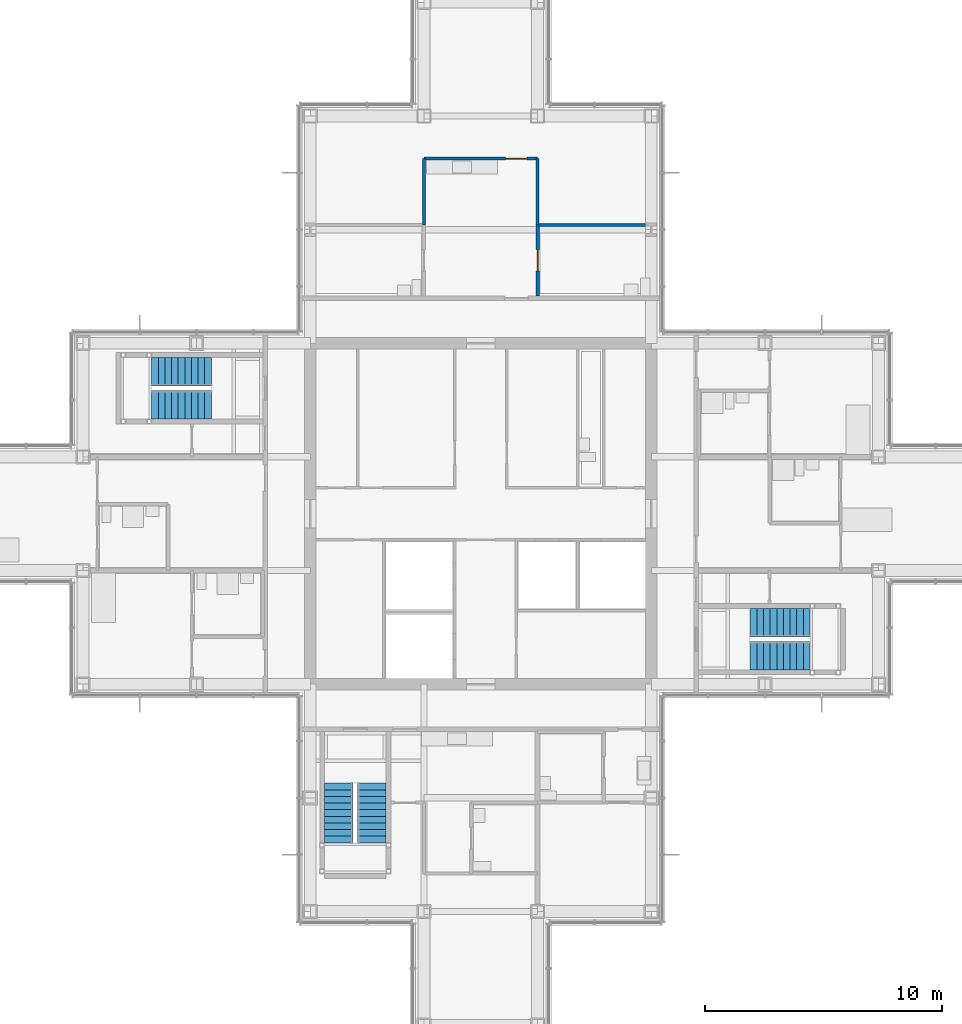
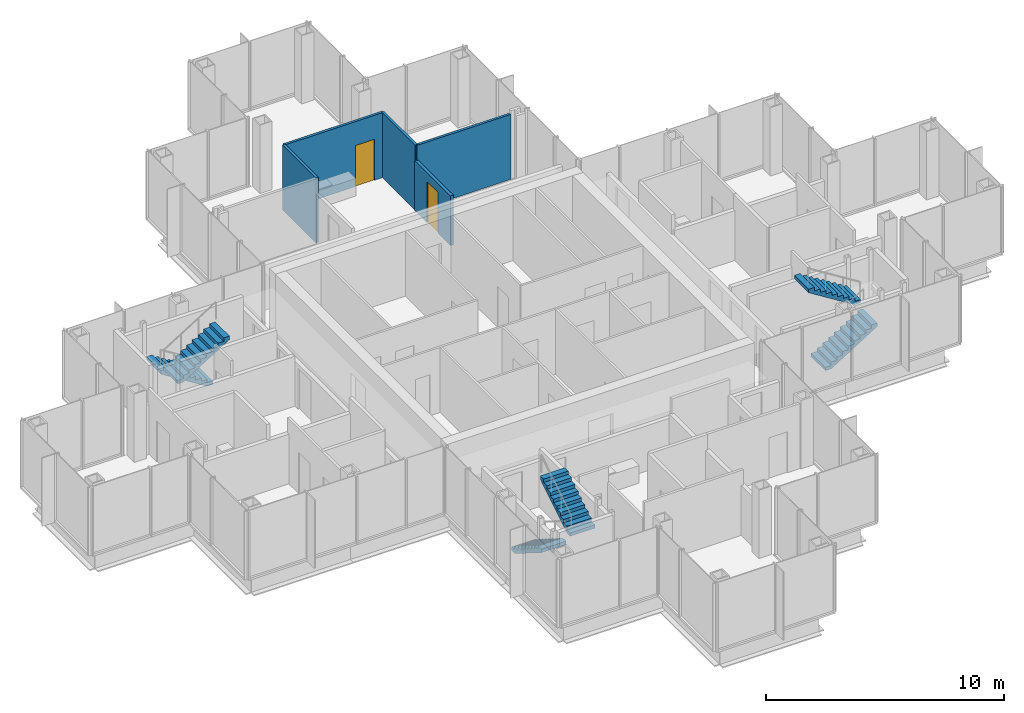
# One storey, part 14 of 17: 6 stair flights, 5 walls, 2 doors, 2 openings, 3 elements without a shape of their own.
"""IFC4 building model written with IfcOpenShell, lengths in metres."""

from ifc_helpers import new_model, si_unit, direction, frame, frame_2d, origin, place, context, subcontext, project, spatial, polyline, rectangle, outline, extrude, material, layer, layer_set, type_object, element, fill, aggregate, save


model = new_model("IFC4")

# Units and contexts
model_context = context("Model", 3, precision=1e-05, world=origin(), true_north=direction((0.0, 1.0)))
body_context = subcontext(model_context, "Body", "Model", "MODEL_VIEW")
ifc_project = project(units=[si_unit("LENGTHUNIT", "METRE"), si_unit("AREAUNIT", "SQUARE_METRE"), si_unit("VOLUMEUNIT", "CUBIC_METRE"), si_unit("PLANEANGLEUNIT", "RADIAN"), si_unit("MASSUNIT", "GRAM", prefix="KILO")], contexts=[model_context])

# Site, building, storey
site_placement = place(None, origin())
site = spatial("IfcSite", under=ifc_project, at=site_placement, CompositionType="ELEMENT")
building_placement = place(site_placement, origin())
building = spatial("IfcBuilding", under=site, at=building_placement, Name="Kvirike Care Tower", CompositionType="ELEMENT")
storey_placement = place(building_placement, frame((0.0, 0.0, 155.0)))
storey = spatial("IfcBuildingStorey", under=building, at=storey_placement, Name="L42", CompositionType="ELEMENT", Elevation=155.0)

# Wall, opening, door
ifc_material_1 = material(Name="Moisture-resistant board partition", Category="gypsum")
ifc_layer_1 = layer(ifc_material_1, 0.14990234375)
ifc_layer_set_1 = layer_set([ifc_layer_1], Name="BATHROOM WALL 150")
wall_type_1 = type_object("IfcWallType", Name="BATHROOM WALL 150", PredefinedType="PARTITIONING", material=ifc_layer_set_1)
wall_1_placement = place(storey_placement, frame((24.0, 48.199951171875, 0.0), z_axis=(0.0, 0.0, 1.0), x_axis=(0.0, -1.0, 0.0)))
wall_1 = element("IfcWall", 1, at=wall_1_placement, inside=storey, type_object=wall_type_1, Name="Bathroom Wall 150 L42", PredefinedType="PARTITIONING", context=body_context, shape_type="SweptSolid", body=[
    extrude(rectangle(XDim=3.0, YDim=0.14990234375, at=frame_2d((1.5, 0.0))), origin(), (0.0, 0.0, 1.0), 2.550048828125),
])
opening_1_placement = place(wall_1_placement, frame((1.050048828125, 0.0, 0.0)))
opening_1 = element("IfcOpeningElement", 2, at=opening_1_placement, cuts=wall_1, Name="Opening 42-017", PredefinedType="OPENING", context=body_context, shape_type="SweptSolid", body=[
    extrude(rectangle(XDim=0.89990234375, YDim=2.10009765625, at=frame_2d((0.449951171875, 1.050048828125))), frame((0.0, 0.08544921875, 0.0), z_axis=(0.0, -1.0, 0.0), x_axis=(1.0, 0.0, 0.0)), (0.0, 0.0, 1.0), 0.1708984375),
])
ifc_material_2 = material(Name="Timber door set", Category="wood")
door_type_1 = type_object("IfcDoorType", Name="BATHROOM DOOR 900", OperationType="SINGLE_SWING_RIGHT", PredefinedType="DOOR", material=ifc_material_2)
door_1_placement = place(opening_1_placement, origin())
door_1 = element("IfcDoor", 3, at=door_1_placement, inside=storey, type_object=door_type_1, Name="Accessible WC door", OperationType="SINGLE_SWING_RIGHT", OverallHeight=2.10009765625, OverallWidth=0.89990234375, PredefinedType="DOOR", context=body_context, shape_type="SweptSolid", body=[
    extrude(rectangle(XDim=0.89990234375, YDim=2.10009765625, at=frame_2d((0.449951171875, 1.050048828125))), frame((0.0, 0.02197265625, 0.0), z_axis=(0.0, -1.0, 0.0), x_axis=(1.0, 0.0, 0.0)), (0.0, 0.0, 1.0), 0.0439453125),
])
fill(opening_1, door_1)

# Wall
ifc_material_3 = material(Name="Plasterboard partition", Category="gypsum")
ifc_layer_2 = layer(ifc_material_3, 0.1201171875)
ifc_layer_set_2 = layer_set([ifc_layer_2], Name="PARTITION 120")
wall_type_2 = type_object("IfcWallType", Name="PARTITION 120", PredefinedType="PARTITIONING", material=ifc_layer_set_2)
wall_2_placement = place(storey_placement, frame((28.552978515625, 48.199951171875, 0.0), z_axis=(0.0, 0.0, 1.0), x_axis=(-1.0, 0.0, 0.0)))
element("IfcWall", 4, at=wall_2_placement, inside=storey, type_object=wall_type_2, Name="Partition 120 L42", PredefinedType="PARTITIONING", context=body_context, shape_type="SweptSolid", body=[
    extrude(rectangle(XDim=4.552978515625, YDim=0.1201171875, at=frame_2d((2.2763671875, 0.0))), origin(), (0.0, 0.0, 1.0), 3.330078125),
])

# Wall, opening, door
wall_3_placement = place(storey_placement, frame((24.0, 51.0, 0.0), z_axis=(0.0, 0.0, 1.0), x_axis=(-1.0, 0.0, 0.0)))
wall_3 = element("IfcWall", 5, at=wall_3_placement, inside=storey, type_object=wall_type_2, Name="Partition 120 L42", PredefinedType="PARTITIONING", context=body_context, shape_type="SweptSolid", body=[
    extrude(rectangle(XDim=4.800048828125, YDim=0.1201171875, at=frame_2d((2.39990234375, 0.0))), origin(), (0.0, 0.0, 1.0), 3.330078125),
])
opening_2_placement = place(wall_3_placement, frame((0.449951171875, 0.0, 0.0)))
opening_2 = element("IfcOpeningElement", 6, at=opening_2_placement, cuts=wall_3, Name="Opening 42-019", PredefinedType="OPENING", context=body_context, shape_type="SweptSolid", body=[
    extrude(rectangle(XDim=0.89990234375, YDim=2.10009765625, at=frame_2d((0.449951171875, 1.050048828125))), frame((0.0, 0.070556640625, 0.0), z_axis=(0.0, -1.0, 0.0), x_axis=(1.0, 0.0, 0.0)), (0.0, 0.0, 1.0), 0.14111328125),
])
ifc_material_4 = material(Name="Timber door set", Category="wood")
door_type_2 = type_object("IfcDoorType", Name="INTERNAL DOOR 900", OperationType="SINGLE_SWING_LEFT", PredefinedType="DOOR", material=ifc_material_4)
door_2_placement = place(opening_2_placement, origin())
door_2 = element("IfcDoor", 7, at=door_2_placement, inside=storey, type_object=door_type_2, Name="Household lounge and dining room door", OperationType="SINGLE_SWING_RIGHT", OverallHeight=2.10009765625, OverallWidth=0.89990234375, PredefinedType="DOOR", context=body_context, shape_type="SweptSolid", body=[
    extrude(rectangle(XDim=0.89990234375, YDim=2.10009765625, at=frame_2d((0.449951171875, 1.050048828125))), frame((0.0, 0.02197265625, 0.0), z_axis=(0.0, -1.0, 0.0), x_axis=(1.0, 0.0, 0.0)), (0.0, 0.0, 1.0), 0.0439453125),
])
fill(opening_2, door_2)

# Walls
for number, where, z_axis, x_axis, name in (
    (8, (24.0, 51.0, 0.0), (0.0, 0.0, 1.0), (0.0, -1.0, 0.0), "Partition 120 L42"),
    (9, (19.199951171875, 51.0, 0.0), (0.0, 0.0, 1.0), (0.0, -1.0, 0.0), "Partition 120 L42"),
):
    element("IfcWall", number, at=place(storey_placement, frame(where, z_axis=z_axis, x_axis=x_axis)), inside=storey, type_object=wall_type_2, Name=name, PredefinedType="PARTITIONING", context=body_context, shape_type="SweptSolid", body=[
        extrude(rectangle(XDim=2.800048828125, YDim=0.1201171875, at=frame_2d((1.39990234375, 0.0))), origin(), (0.0, 0.0, 1.0), 3.330078125),
    ])

# Stair, stair flights
ifc_material_5 = material(Name="Concrete C35/45", Category="concrete")
stair_type = type_object("IfcStairType", Name="STAIR 20 RISERS", PredefinedType="HALF_TURN_STAIR", material=ifc_material_5)
stair_1_placement = place(storey_placement, origin())
stair_1 = element("IfcStair", 10, at=stair_1_placement, inside=storey, type_object=stair_type, Name="Stair 1 L42", PredefinedType="HALF_TURN_STAIR")
ifc_material_6 = material(Name="Concrete C35/45", Category="concrete")
stair_flight_type = type_object("IfcStairFlightType", Name="FLIGHT 10 RISERS", PredefinedType="STRAIGHT", material=ifc_material_6)
stair_flight_1_placement = place(storey_placement, frame((10.219970703125, 42.0, 0.0), z_axis=(0.0, 0.0, 1.0), x_axis=(-1.0, 0.0, 0.0)))
stair_flight_1 = element("IfcStairFlight", 11, at=stair_flight_1_placement, type_object=stair_flight_type, Name="Stair S1 flight 1 L42-L43", NumberOfRisers=10, NumberOfTreads=9, PredefinedType="STRAIGHT", RiserHeight=0.175, TreadLength=0.28, context=body_context, shape_type="SweptSolid", body=[
    extrude(outline(polyline([(0.0, 0.0), (0.0, 0.175048828125), (0.280029296875, 0.175048828125), (0.280029296875, 0.35009765625), (0.56005859375, 0.35009765625), (0.56005859375, 0.52490234375), (0.840087890625, 0.52490234375), (0.840087890625, 0.699951171875), (1.1201171875, 0.699951171875), (1.1201171875, 0.875), (1.39990234375, 0.875), (1.39990234375, 1.050048828125), (1.679931640625, 1.050048828125), (1.679931640625, 1.22509765625), (1.9599609375, 1.22509765625), (1.9599609375, 1.39990234375), (2.239990234375, 1.39990234375), (2.239990234375, 1.574951171875), (2.52001953125, 1.574951171875), (2.52001953125, 1.75), (2.52001953125, 1.398193359375), (0.28271484375, 0.0), (0.0, 0.0)])), frame((0.0, 0.60009765625, 0.0), z_axis=(0.0, -1.0, 0.0), x_axis=(1.0, 0.0, 0.0)), (0.0, 0.0, 1.0), 1.199951171875),
])
stair_flight_2_placement = place(storey_placement, frame((7.699951171875, 40.60009765625, 1.75), z_axis=(0.0, 0.0, 1.0), x_axis=(1.0, 0.0, 0.0)))
stair_flight_2 = element("IfcStairFlight", 12, at=stair_flight_2_placement, type_object=stair_flight_type, Name="Stair S1 flight 2 L42-L43", NumberOfRisers=10, NumberOfTreads=9, PredefinedType="STRAIGHT", RiserHeight=0.175, TreadLength=0.28, context=body_context, shape_type="SweptSolid", body=[
    extrude(outline(polyline([(0.0, 0.0), (0.0, 0.175048828125), (0.280029296875, 0.175048828125), (0.280029296875, 0.35009765625), (0.56005859375, 0.35009765625), (0.56005859375, 0.52490234375), (0.840087890625, 0.52490234375), (0.840087890625, 0.699951171875), (1.1201171875, 0.699951171875), (1.1201171875, 0.875), (1.39990234375, 0.875), (1.39990234375, 1.050048828125), (1.679931640625, 1.050048828125), (1.679931640625, 1.22509765625), (1.9599609375, 1.22509765625), (1.9599609375, 1.39990234375), (2.239990234375, 1.39990234375), (2.239990234375, 1.574951171875), (2.52001953125, 1.574951171875), (2.52001953125, 1.75), (2.52001953125, 1.398193359375), (0.28271484375, 0.0), (0.0, 0.0)])), frame((0.0, 0.60009765625, 0.0), z_axis=(0.0, -1.0, 0.0), x_axis=(1.0, 0.0, 0.0)), (0.0, 0.0, 1.0), 1.199951171875),
])
aggregate(stair_1, [stair_flight_1, stair_flight_2])

stair_2_placement = place(storey_placement, origin())
stair_2 = element("IfcStair", 13, at=stair_2_placement, inside=storey, type_object=stair_type, Name="Stair 2 L42", PredefinedType="HALF_TURN_STAIR")
stair_flight_3_placement = place(storey_placement, frame((32.97998046875, 30.0, 0.0), z_axis=(0.0, 0.0, 1.0), x_axis=(1.0, 0.0, 0.0)))
stair_flight_3 = element("IfcStairFlight", 14, at=stair_flight_3_placement, type_object=stair_flight_type, Name="Stair S2 flight 1 L42-L43", NumberOfRisers=10, NumberOfTreads=9, PredefinedType="STRAIGHT", RiserHeight=0.175, TreadLength=0.28, context=body_context, shape_type="SweptSolid", body=[
    extrude(outline(polyline([(0.0, 0.0), (0.0, 0.175048828125), (0.280029296875, 0.175048828125), (0.280029296875, 0.35009765625), (0.56005859375, 0.35009765625), (0.56005859375, 0.52490234375), (0.840087890625, 0.52490234375), (0.840087890625, 0.699951171875), (1.1201171875, 0.699951171875), (1.1201171875, 0.875), (1.39990234375, 0.875), (1.39990234375, 1.050048828125), (1.679931640625, 1.050048828125), (1.679931640625, 1.22509765625), (1.9599609375, 1.22509765625), (1.9599609375, 1.39990234375), (2.239990234375, 1.39990234375), (2.239990234375, 1.574951171875), (2.52001953125, 1.574951171875), (2.52001953125, 1.75), (2.52001953125, 1.398193359375), (0.28271484375, 0.0), (0.0, 0.0)])), frame((0.0, 0.60009765625, 0.0), z_axis=(0.0, -1.0, 0.0), x_axis=(1.0, 0.0, 0.0)), (0.0, 0.0, 1.0), 1.199951171875),
])
stair_flight_4_placement = place(storey_placement, frame((35.5, 31.39990234375, 1.75), z_axis=(0.0, 0.0, 1.0), x_axis=(-1.0, 0.0, 0.0)))
stair_flight_4 = element("IfcStairFlight", 15, at=stair_flight_4_placement, type_object=stair_flight_type, Name="Stair S2 flight 2 L42-L43", NumberOfRisers=10, NumberOfTreads=9, PredefinedType="STRAIGHT", RiserHeight=0.175, TreadLength=0.28, context=body_context, shape_type="SweptSolid", body=[
    extrude(outline(polyline([(0.0, 0.0), (0.0, 0.175048828125), (0.280029296875, 0.175048828125), (0.280029296875, 0.35009765625), (0.56005859375, 0.35009765625), (0.56005859375, 0.52490234375), (0.840087890625, 0.52490234375), (0.840087890625, 0.699951171875), (1.1201171875, 0.699951171875), (1.1201171875, 0.875), (1.39990234375, 0.875), (1.39990234375, 1.050048828125), (1.679931640625, 1.050048828125), (1.679931640625, 1.22509765625), (1.9599609375, 1.22509765625), (1.9599609375, 1.39990234375), (2.239990234375, 1.39990234375), (2.239990234375, 1.574951171875), (2.52001953125, 1.574951171875), (2.52001953125, 1.75), (2.52001953125, 1.398193359375), (0.28271484375, 0.0), (0.0, 0.0)])), frame((0.0, 0.60009765625, 0.0), z_axis=(0.0, -1.0, 0.0), x_axis=(1.0, 0.0, 0.0)), (0.0, 0.0, 1.0), 1.199951171875),
])
aggregate(stair_2, [stair_flight_3, stair_flight_4])

stair_3_placement = place(storey_placement, origin())
stair_3 = element("IfcStair", 16, at=stair_3_placement, inside=storey, type_object=stair_type, Name="Stair 5 L42", PredefinedType="HALF_TURN_STAIR")
stair_flight_5_placement = place(storey_placement, frame((15.60009765625, 24.6201171875, 0.0), z_axis=(0.0, 0.0, 1.0), x_axis=(0.0, -1.0, 0.0)))
stair_flight_5 = element("IfcStairFlight", 17, at=stair_flight_5_placement, type_object=stair_flight_type, Name="Stair S5 flight 1 L42-L43", NumberOfRisers=10, NumberOfTreads=9, PredefinedType="STRAIGHT", RiserHeight=0.175, TreadLength=0.28, context=body_context, shape_type="SweptSolid", body=[
    extrude(outline(polyline([(0.0, 0.0), (0.0, 0.175048828125), (0.280029296875, 0.175048828125), (0.280029296875, 0.35009765625), (0.56005859375, 0.35009765625), (0.56005859375, 0.52490234375), (0.840087890625, 0.52490234375), (0.840087890625, 0.699951171875), (1.1201171875, 0.699951171875), (1.1201171875, 0.875), (1.39990234375, 0.875), (1.39990234375, 1.050048828125), (1.679931640625, 1.050048828125), (1.679931640625, 1.22509765625), (1.9599609375, 1.22509765625), (1.9599609375, 1.39990234375), (2.239990234375, 1.39990234375), (2.239990234375, 1.574951171875), (2.52001953125, 1.574951171875), (2.52001953125, 1.75), (2.52001953125, 1.398193359375), (0.28271484375, 0.0), (0.0, 0.0)])), frame((0.0, 0.60009765625, 0.0), z_axis=(0.0, -1.0, 0.0), x_axis=(1.0, 0.0, 0.0)), (0.0, 0.0, 1.0), 1.199951171875),
])
stair_flight_6_placement = place(storey_placement, frame((17.0, 22.10009765625, 1.75), z_axis=(0.0, 0.0, 1.0), x_axis=(0.0, 1.0, 0.0)))
stair_flight_6 = element("IfcStairFlight", 18, at=stair_flight_6_placement, type_object=stair_flight_type, Name="Stair S5 flight 2 L42-L43", NumberOfRisers=10, NumberOfTreads=9, PredefinedType="STRAIGHT", RiserHeight=0.175, TreadLength=0.28, context=body_context, shape_type="SweptSolid", body=[
    extrude(outline(polyline([(0.0, 0.0), (0.0, 0.175048828125), (0.280029296875, 0.175048828125), (0.280029296875, 0.35009765625), (0.56005859375, 0.35009765625), (0.56005859375, 0.52490234375), (0.840087890625, 0.52490234375), (0.840087890625, 0.699951171875), (1.1201171875, 0.699951171875), (1.1201171875, 0.875), (1.39990234375, 0.875), (1.39990234375, 1.050048828125), (1.679931640625, 1.050048828125), (1.679931640625, 1.22509765625), (1.9599609375, 1.22509765625), (1.9599609375, 1.39990234375), (2.239990234375, 1.39990234375), (2.239990234375, 1.574951171875), (2.52001953125, 1.574951171875), (2.52001953125, 1.75), (2.52001953125, 1.398193359375), (0.28271484375, 0.0), (0.0, 0.0)])), frame((0.0, 0.60009765625, 0.0), z_axis=(0.0, -1.0, 0.0), x_axis=(1.0, 0.0, 0.0)), (0.0, 0.0, 1.0), 1.199951171875),
])
aggregate(stair_3, [stair_flight_5, stair_flight_6])

save(model, "model.ifc")
